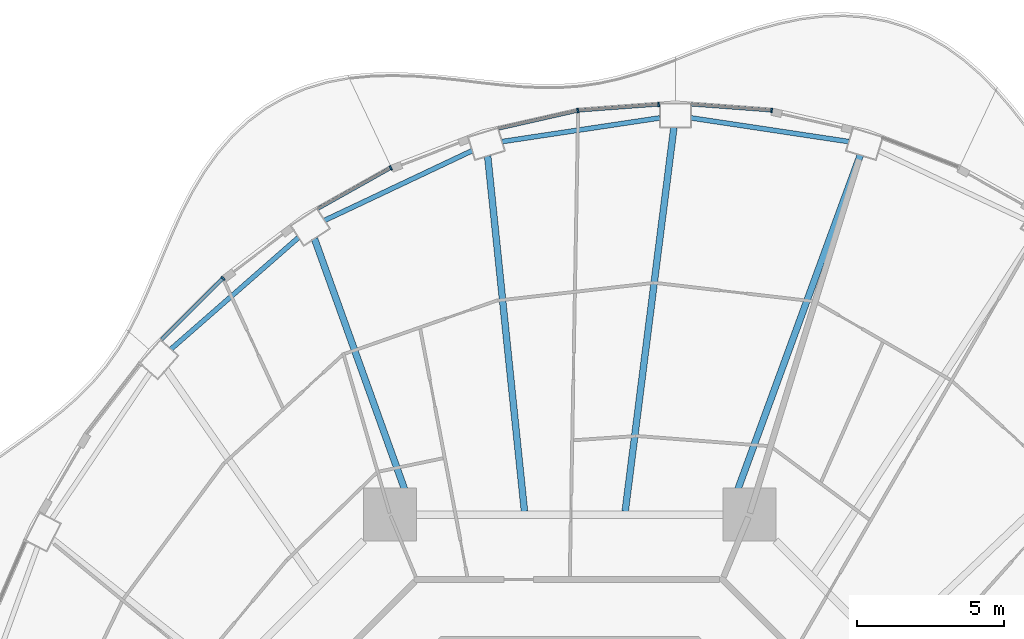
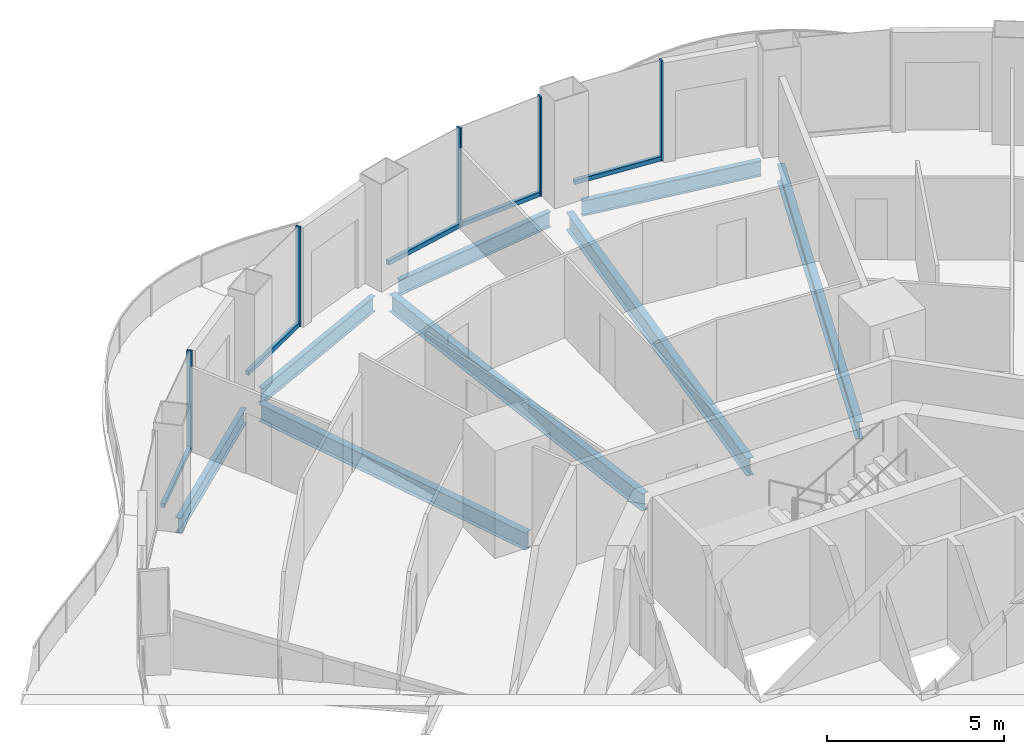
# One storey, part 7 of 19: 10 members, 8 beams, 5 elements without a shape of their own.
"""IFC4 building model written with IfcOpenShell, lengths in metres."""

from ifc_helpers import new_model, si_unit, direction, frame, origin, origin_2d, place, context, subcontext, project, spatial, rectangle, i_section, extrude, material, layer, layer_set, material_profile, profile_set, type_object, element, aggregate, save


model = new_model("IFC4")

# Units and contexts
model_context = context("Model", 3, precision=1e-05, world=origin(), true_north=direction((0.0, 1.0)))
body_context = subcontext(model_context, "Body", "Model", "MODEL_VIEW")
ifc_project = project(units=[si_unit("LENGTHUNIT", "METRE"), si_unit("AREAUNIT", "SQUARE_METRE"), si_unit("VOLUMEUNIT", "CUBIC_METRE"), si_unit("PLANEANGLEUNIT", "RADIAN"), si_unit("MASSUNIT", "GRAM", prefix="KILO")], contexts=[model_context])

# Site, building, storey
site_placement = place(None, origin())
site = spatial("IfcSite", under=ifc_project, at=site_placement, CompositionType="ELEMENT")
building_placement = place(site_placement, origin())
building = spatial("IfcBuilding", under=site, at=building_placement, Name="Nagisa Residences", CompositionType="ELEMENT")
storey_placement = place(building_placement, frame((0.0, 0.0, 180.699951171875)))
storey = spatial("IfcBuildingStorey", under=building, at=storey_placement, Name="L45", CompositionType="ELEMENT", Elevation=180.699951171875)

# Curtain wall, member
ifc_material_1 = material(Name="Concrete-coloured aluminium curtain wall system", Category="concrete")
ifc_layer = layer(ifc_material_1, 0.159912109375)
ifc_layer_set = layer_set([ifc_layer], Name="CW1 CURTAIN WALL")
curtain_wall_type = type_object("IfcCurtainWallType", Name="CW1 CURTAIN WALL", PredefinedType="NOTDEFINED", material=ifc_layer_set)
curtain_wall_1_placement = place(storey_placement, origin())
curtain_wall_1 = element("IfcCurtainWall", 1, at=curtain_wall_1_placement, inside=storey, type_object=curtain_wall_type, Name="cw:CW1:L45:11", PredefinedType="NOTDEFINED")
ifc_material_2 = material(Name="Concrete-coloured aluminium", Category="concrete")
ifc_material_profile_1 = material_profile(ifc_material_2, rectangle(XDim=0.159912109375, YDim=0.06005859375, at=origin_2d()), Name="CW1 MULLION 160x60")
ifc_profile_set_1 = profile_set([ifc_material_profile_1], Name="Concrete-coloured aluminium")
member_type_1 = type_object("IfcMemberType", Name="CW1 MULLION 160x60", PredefinedType="MULLION", material=ifc_profile_set_1)
member_1_placement = place(storey_placement, frame((6.876220703125, 28.550537109375, 0.0), z_axis=(0.0, 0.0, 1.0), x_axis=(-0.074377355493, -0.997230168512, 0.0)))
member_1 = element("IfcMember", 2, at=member_1_placement, type_object=member_type_1, Name="CW1 mullion", PredefinedType="MULLION", context=body_context, shape_type="SweptSolid", body=[
    extrude(rectangle(XDim=0.159912109375, YDim=0.06005859375, at=origin_2d()), origin(), (0.0, 0.0, 1.0), 3.43994140625),
])

curtain_wall_2_placement = place(storey_placement, origin())
curtain_wall_2 = element("IfcCurtainWall", 3, at=curtain_wall_2_placement, inside=storey, type_object=curtain_wall_type, Name="cw:CW1:L45:12", PredefinedType="NOTDEFINED")
member_2_placement = place(storey_placement, frame((3.027587890625, 28.752197265625, 0.0), z_axis=(0.0, 0.0, 1.0), x_axis=(0.074377355493, -0.997230168512, 0.0)))
member_2 = element("IfcMember", 4, at=member_2_placement, type_object=member_type_1, Name="CW1 mullion", PredefinedType="MULLION", context=body_context, shape_type="SweptSolid", body=[
    extrude(rectangle(XDim=0.159912109375, YDim=0.06005859375, at=origin_2d()), origin(), (0.0, 0.0, 1.0), 3.43994140625),
])

curtain_wall_3_placement = place(storey_placement, origin())
curtain_wall_3 = element("IfcCurtainWall", 5, at=curtain_wall_3_placement, inside=storey, type_object=curtain_wall_type, Name="cw:CW1:L45:13", PredefinedType="NOTDEFINED")
member_3_placement = place(storey_placement, frame((0.2763671875, 28.543212890625, 0.0), z_axis=(0.0, 0.0, 1.0), x_axis=(0.2207639201, -0.975327274089, 0.0)))
member_3 = element("IfcMember", 6, at=member_3_placement, type_object=member_type_1, Name="CW1 mullion", PredefinedType="MULLION", context=body_context, shape_type="SweptSolid", body=[
    extrude(rectangle(XDim=0.159912109375, YDim=0.06005859375, at=origin_2d()), origin(), (0.0, 0.0, 1.0), 3.43994140625),
])

curtain_wall_4_placement = place(storey_placement, origin())
curtain_wall_4 = element("IfcCurtainWall", 7, at=curtain_wall_4_placement, inside=storey, type_object=curtain_wall_type, Name="cw:CW1:L45:15", PredefinedType="NOTDEFINED")
member_4_placement = place(storey_placement, frame((-6.09765625, 26.592529296875, 0.0), z_axis=(0.0, 0.0, 1.0), x_axis=(0.489376918501, -0.872072377523, 0.0)))
member_4 = element("IfcMember", 8, at=member_4_placement, type_object=member_type_1, Name="CW1 mullion", PredefinedType="MULLION", context=body_context, shape_type="SweptSolid", body=[
    extrude(rectangle(XDim=0.159912109375, YDim=0.06005859375, at=origin_2d()), origin(), (0.0, 0.0, 1.0), 3.43994140625),
])

curtain_wall_5_placement = place(storey_placement, origin())
curtain_wall_5 = element("IfcCurtainWall", 9, at=curtain_wall_5_placement, inside=storey, type_object=curtain_wall_type, Name="cw:CW1:L45:17", PredefinedType="NOTDEFINED")
member_5_placement = place(storey_placement, frame((-11.81201171875, 22.830322265625, 0.0), z_axis=(0.0, 0.0, 1.0), x_axis=(0.706376885714, -0.707835924016, 0.0)))
member_5 = element("IfcMember", 10, at=member_5_placement, type_object=member_type_1, Name="CW1 mullion", PredefinedType="MULLION", context=body_context, shape_type="SweptSolid", body=[
    extrude(rectangle(XDim=0.159912109375, YDim=0.06005859375, at=origin_2d()), origin(), (0.0, 0.0, 1.0), 3.43994140625),
])

# Member
ifc_material_3 = material(Name="Concrete-coloured aluminium", Category="concrete")
ifc_material_profile_2 = material_profile(ifc_material_3, rectangle(XDim=0.1201171875, YDim=0.14990234375, at=origin_2d()), Name="CW1 TRANSOM 120x150")
ifc_profile_set_2 = profile_set([ifc_material_profile_2], Name="Concrete-coloured aluminium")
member_type_2 = type_object("IfcMemberType", Name="CW1 TRANSOM 120x150", PredefinedType="USERDEFINED", material=ifc_profile_set_2)
member_6_placement = place(storey_placement, frame((6.90625, 28.548095703125, 0.074951171875), z_axis=(-0.997225528735, 0.074439538143, 0.0), x_axis=(-0.074439538143, -0.997225528735, 0.0)))
member_6 = element("IfcMember", 11, at=member_6_placement, type_object=member_type_2, Name="CW1 transom", ObjectType="TRANSOM", PredefinedType="USERDEFINED", context=body_context, shape_type="SweptSolid", body=[
    extrude(rectangle(XDim=0.1201171875, YDim=0.14990234375, at=origin_2d()), origin(), (0.0, 0.0, 1.0), 2.771240234375),
])

aggregate(curtain_wall_1, [member_1, member_6])

member_7_placement = place(storey_placement, frame((3.057373046875, 28.75439453125, 0.074951171875), z_axis=(-0.99722504052, -0.074446078208, 0.0), x_axis=(0.074446078208, -0.99722504052, 0.0)))
member_7 = element("IfcMember", 12, at=member_7_placement, type_object=member_type_2, Name="CW1 transom", ObjectType="TRANSOM", PredefinedType="USERDEFINED", context=body_context, shape_type="SweptSolid", body=[
    extrude(rectangle(XDim=0.1201171875, YDim=0.14990234375, at=origin_2d()), origin(), (0.0, 0.0, 1.0), 2.77099609375),
])

aggregate(curtain_wall_2, [member_2, member_7])

member_8_placement = place(storey_placement, frame((0.3056640625, 28.550048828125, 0.074951171875), z_axis=(-0.975324329911, -0.220776926974, 0.0), x_axis=(0.220776926974, -0.975324329911, 0.0)))
member_8 = element("IfcMember", 13, at=member_8_placement, type_object=member_type_2, Name="CW1 transom", ObjectType="TRANSOM", PredefinedType="USERDEFINED", context=body_context, shape_type="SweptSolid", body=[
    extrude(rectangle(XDim=0.1201171875, YDim=0.14990234375, at=origin_2d()), origin(), (0.0, 0.0, 1.0), 2.787841796875),
])

aggregate(curtain_wall_3, [member_3, member_8])

member_9_placement = place(storey_placement, frame((-6.071533203125, 26.607177734375, 0.074951171875), z_axis=(-0.872057843239, -0.489402817774, 0.0), x_axis=(0.489402817774, -0.872057843239, 0.0)))
member_9 = element("IfcMember", 14, at=member_9_placement, type_object=member_type_2, Name="CW1 transom", ObjectType="TRANSOM", PredefinedType="USERDEFINED", context=body_context, shape_type="SweptSolid", body=[
    extrude(rectangle(XDim=0.1201171875, YDim=0.14990234375, at=origin_2d()), origin(), (0.0, 0.0, 1.0), 2.863525390625),
])

aggregate(curtain_wall_4, [member_4, member_9])

member_10_placement = place(storey_placement, frame((-11.790771484375, 22.8515625, 0.074951171875), z_axis=(-0.707803821372, -0.706409053206, 0.0), x_axis=(0.706409053206, -0.707803821372, 0.0)))
member_10 = element("IfcMember", 15, at=member_10_placement, type_object=member_type_2, Name="CW1 transom", ObjectType="TRANSOM", PredefinedType="USERDEFINED", context=body_context, shape_type="SweptSolid", body=[
    extrude(rectangle(XDim=0.1201171875, YDim=0.14990234375, at=origin_2d()), origin(), (0.0, 0.0, 1.0), 2.9755859375),
])

aggregate(curtain_wall_5, [member_5, member_10])

# Beams
ifc_material_4 = material(Name="Steel ASTM A572 Gr 50", Category="steel")
ifc_material_profile_3 = material_profile(ifc_material_4, i_section(OverallWidth=0.166015625, OverallDepth=0.534912109375, WebThickness=0.01025390625, FlangeThickness=0.0166015625, at=origin_2d()), Name="W530x85")
ifc_profile_set_3 = profile_set([ifc_material_profile_3], Name="Steel ASTM A572 Gr 50")
beam_type_1 = type_object("IfcBeamType", Name="Perimeter ring beam W530x85", PredefinedType="BEAM", material=ifc_profile_set_3)
for number, where, z_axis, x_axis, name in (
    (16, (9.508056640625, 27.48779296875, -0.52734375), (-0.988911312658, 0.148507291732, 0.0), (-0.148507291732, -0.988911312658, 0.0), "beam:L45:pb06"),
    (17, (3.06982421875, 28.29541015625, -0.52734375), (-0.988911312658, -0.148507291732, 0.0), (0.148507291732, -0.988911312658, 0.0), "beam:L45:pb07"),
):
    element("IfcBeam", number, at=place(storey_placement, frame(where, z_axis=z_axis, x_axis=x_axis)), inside=storey, type_object=beam_type_1, Name=name, PredefinedType="BEAM", context=body_context, shape_type="SweptSolid", body=[
        extrude(i_section(OverallWidth=0.166015625, OverallDepth=0.534912109375, WebThickness=0.01025390625, FlangeThickness=0.0166015625, at=origin_2d()), origin(), (0.0, 0.0, 1.0), 5.438232421875),
    ])
beam_1_placement = place(storey_placement, frame((-3.32275390625, 27.17919921875, -0.52734375), z_axis=(-0.904157325884, -0.427199637232, 0.0), x_axis=(0.427199637232, -0.904157325884, 0.0)))
element("IfcBeam", 18, at=beam_1_placement, inside=storey, type_object=beam_type_1, Name="beam:L45:pb08", PredefinedType="BEAM", context=body_context, shape_type="SweptSolid", body=[
    extrude(i_section(OverallWidth=0.166015625, OverallDepth=0.534912109375, WebThickness=0.01025390625, FlangeThickness=0.0166015625, at=origin_2d()), origin(), (0.0, 0.0, 1.0), 5.56396484375),
])
beam_2_placement = place(storey_placement, frame((-9.240234375, 24.220947265625, -0.52734375), z_axis=(-0.752461486776, -0.658636250838, 0.0), x_axis=(0.658636250838, -0.752461486776, 0.0)))
element("IfcBeam", 19, at=beam_2_placement, inside=storey, type_object=beam_type_1, Name="beam:L45:pb09", PredefinedType="BEAM", context=body_context, shape_type="SweptSolid", body=[
    extrude(i_section(OverallWidth=0.166015625, OverallDepth=0.534912109375, WebThickness=0.01025390625, FlangeThickness=0.0166015625, at=origin_2d()), origin(), (0.0, 0.0, 1.0), 5.776611328125),
])
ifc_material_5 = material(Name="Steel ASTM A572 Gr 50", Category="steel")
ifc_material_profile_4 = material_profile(ifc_material_5, i_section(OverallWidth=0.22802734375, OverallDepth=0.60302734375, WebThickness=0.010498046875, FlangeThickness=0.014892578125, at=origin_2d()), Name="W610x101")
ifc_profile_set_4 = profile_set([ifc_material_profile_4], Name="Steel ASTM A572 Gr 50")
beam_type_2 = type_object("IfcBeamType", Name="Radial beam W610x101", PredefinedType="BEAM", material=ifc_profile_set_4)
beam_3_placement = place(storey_placement, frame((9.898681640625, 27.02734375, -0.5615234375), z_axis=(-0.343903309659, -0.939005065804, 0.0), x_axis=(0.939005065804, -0.343903309659, 0.0)))
element("IfcBeam", 20, at=beam_3_placement, inside=storey, type_object=beam_type_2, Name="beam:L45:rb06", PredefinedType="BEAM", context=body_context, shape_type="SweptSolid", body=[
    extrude(i_section(OverallWidth=0.22802734375, OverallDepth=0.60302734375, WebThickness=0.010498046875, FlangeThickness=0.014892578125, at=origin_2d()), origin(), (0.0, 0.0, 1.0), 12.92529296875),
])
beam_4_placement = place(storey_placement, frame((3.548583984375, 27.9697265625, -0.5615234375), z_axis=(-0.125871302495, -0.992046579153, 0.0), x_axis=(0.992046579153, -0.125871302495, 0.0)))
element("IfcBeam", 21, at=beam_4_placement, inside=storey, type_object=beam_type_2, Name="beam:L45:rb07", PredefinedType="BEAM", context=body_context, shape_type="SweptSolid", body=[
    extrude(i_section(OverallWidth=0.22802734375, OverallDepth=0.60302734375, WebThickness=0.010498046875, FlangeThickness=0.014892578125, at=origin_2d()), origin(), (0.0, 0.0, 1.0), 13.185546875),
])
beam_5_placement = place(storey_placement, frame((-2.795654296875, 26.997314453125, -0.5615234375), z_axis=(0.103007948723, -0.994680532885, 0.0), x_axis=(0.994680532885, 0.103007948723, 0.0)))
element("IfcBeam", 22, at=beam_5_placement, inside=storey, type_object=beam_type_2, Name="beam:L45:rb08", PredefinedType="BEAM", context=body_context, shape_type="SweptSolid", body=[
    extrude(i_section(OverallWidth=0.22802734375, OverallDepth=0.60302734375, WebThickness=0.010498046875, FlangeThickness=0.014892578125, at=origin_2d()), origin(), (0.0, 0.0, 1.0), 12.1728515625),
])
beam_6_placement = place(storey_placement, frame((-8.6962890625, 24.180908203125, -0.5615234375), z_axis=(0.338417364879, -0.940996114311, 0.0), x_axis=(0.940996114311, 0.338417364879, 0.0)))
element("IfcBeam", 23, at=beam_6_placement, inside=storey, type_object=beam_type_2, Name="beam:L45:rb09", PredefinedType="BEAM", context=body_context, shape_type="SweptSolid", body=[
    extrude(i_section(OverallWidth=0.22802734375, OverallDepth=0.60302734375, WebThickness=0.010498046875, FlangeThickness=0.014892578125, at=origin_2d()), origin(), (0.0, 0.0, 1.0), 9.873291015625),
])

save(model, "model.ifc")
